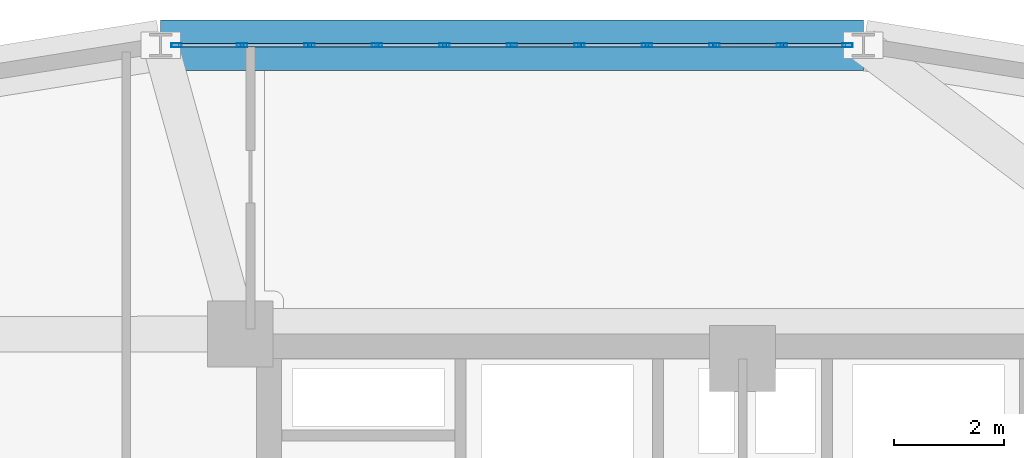
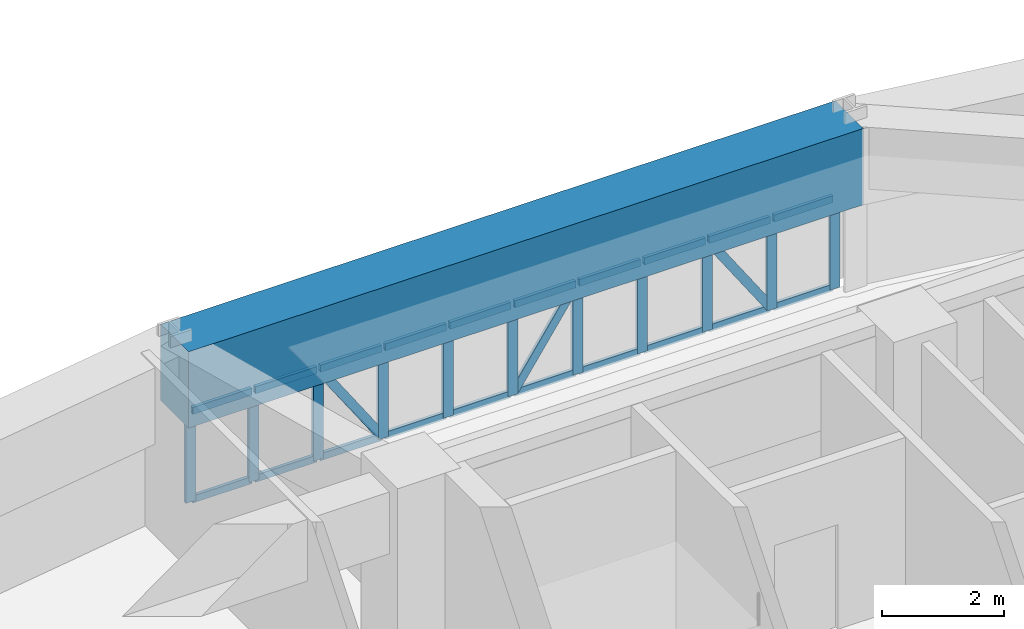
# One storey, part 8 of 15: 34 members, 1 beam, 1 element without a shape of its own.
"""IFC4 building model written with IfcOpenShell, lengths in metres."""

import ifcopenshell
import ifcopenshell.guid

model = None  # the IFC model being written
_history = None  # IfcOwnerHistory: only IFC2X3 demands one
_inside = {}  # id of a spatial element -> (the spatial element, [elements in it])
_under = {}  # id of a project, library or spatial element -> (it, [spatial elements below it])
_declared = {}  # id of a project -> (the project, [libraries it declares])
_typed = {}  # id of a type object -> (the type object, [elements of that type])
_made_of = {}  # id of a material, layer set ... -> (it, [elements and type objects made of it])


def new_model(schema):
    """Start an empty IFC model of exactly this schema.

    Asked for "IFC4X3", IfcOpenShell would pick the latest addendum, in which some entities
    have other attributes; the version numbers below select the first issue.
    IFC2X3 requires an IfcOwnerHistory on every rooted entity: one is made here for all.
    """
    global model, _history
    if schema == "IFC4X3":
        model = ifcopenshell.file(schema_version=(4, 3, 0, 0))
    else:
        model = ifcopenshell.file(schema=schema)
    _inside.clear()
    _under.clear()
    _declared.clear()
    _typed.clear()
    _made_of.clear()
    _history = None
    if model.schema == "IFC2X3":
        org = make("IfcOrganization", Name="unknown")
        user = make(
            "IfcPersonAndOrganization",
            ThePerson=make("IfcPerson", FamilyName="unknown"),
            TheOrganization=org,
        )
        app = make(
            "IfcApplication",
            ApplicationDeveloper=org,
            Version="unknown",
            ApplicationFullName="unknown",
            ApplicationIdentifier="unknown",
        )
        _history = make(
            "IfcOwnerHistory",
            OwningUser=user,
            OwningApplication=app,
            ChangeAction="ADDED",
            CreationDate=0,
        )
    return model


def make(cls, **values):
    """One entity of the class cls with the attributes given. An attribute that is None is left unset."""
    return model.create_entity(
        cls, **{name: value for name, value in values.items() if value is not None}
    )


def rooted(cls, **values):
    """An entity with a GlobalId (a new one), such as an element, a storey or a relation."""
    return make(cls, GlobalId=ifcopenshell.guid.new(), OwnerHistory=_history, **values)


def si_unit(unit_type, name, prefix=None):
    """IfcSIUnit, for example si_unit("LENGTHUNIT", "METRE", prefix="MILLI")."""
    return make("IfcSIUnit", UnitType=unit_type, Prefix=prefix, Name=name)


def derived_unit(unit_type, elements):
    """IfcDerivedUnit: a product of units, each with its exponent."""
    return make(
        "IfcDerivedUnit",
        Elements=[
            make("IfcDerivedUnitElement", Unit=unit, Exponent=power)
            for unit, power in elements
        ],
        UnitType=unit_type,
    )


def assignment(units):
    """IfcUnitAssignment: the units of a project."""
    return None if units is None else make("IfcUnitAssignment", Units=units)


def point(xyz):
    """IfcCartesianPoint."""
    return None if xyz is None else make("IfcCartesianPoint", Coordinates=xyz)


def direction(xyz):
    """IfcDirection."""
    return None if xyz is None else make("IfcDirection", DirectionRatios=xyz)


def frame(location, z_axis=None, x_axis=None):
    """IfcAxis2Placement3D, a coordinate frame: its origin and axes. An axis left out is left unset."""
    return make(
        "IfcAxis2Placement3D",
        Location=point(location),
        Axis=direction(z_axis),
        RefDirection=direction(x_axis),
    )


def frame_2d(location, x_axis=None):
    """IfcAxis2Placement2D, a coordinate frame in the plane: its origin and x axis."""
    return make(
        "IfcAxis2Placement2D", Location=point(location), RefDirection=direction(x_axis)
    )


def origin():
    """The frame at (0, 0, 0) with its axes left unset."""
    return frame((0.0, 0.0, 0.0))


def origin_2d():
    """The frame at (0, 0) in the plane with its x axis left unset."""
    return frame_2d((0.0, 0.0))


def place(relative_to, where):
    """IfcLocalPlacement: puts the frame where relative to a parent placement (None: the world)."""
    return make(
        "IfcLocalPlacement", PlacementRelTo=relative_to, RelativePlacement=where
    )


def context(
    kind, dimensions, precision=None, world=None, true_north=None, identifier=None
):
    """IfcGeometricRepresentationContext, for example the 3D "Model" context."""
    return make(
        "IfcGeometricRepresentationContext",
        ContextIdentifier=identifier,
        ContextType=kind,
        CoordinateSpaceDimension=dimensions,
        Precision=precision,
        WorldCoordinateSystem=world,
        TrueNorth=true_north,
    )


def subcontext(parent, identifier, kind, view, scale=None):
    """IfcGeometricRepresentationSubContext, for example "Body" below "Model"."""
    return make(
        "IfcGeometricRepresentationSubContext",
        ContextIdentifier=identifier,
        ContextType=kind,
        ParentContext=parent,
        TargetScale=scale,
        TargetView=view,
    )


def project(units=None, contexts=None):
    """IfcProject with its units and contexts."""
    return rooted(
        "IfcProject",
        Name="project",
        RepresentationContexts=contexts,
        UnitsInContext=assignment(units),
    )


def spatial(cls, under=None, at=None, **own):
    """A site, building, storey or space (cls), placed at a placement, below another one or the project."""
    s = rooted(cls, ObjectPlacement=at, **own)
    if under is not None:
        _under.setdefault(under.id(), (under, []))[1].append(s)
    return s


def profile(cls, at=None, kind="AREA", **sizes):
    """A parametric profile (cls). Its sizes go by their IFC names, for example OverallWidth=200.0."""
    return make(cls, ProfileType=kind, Position=at, **sizes)


def rectangle(**sizes):
    """IfcRectangleProfileDef."""
    return profile("IfcRectangleProfileDef", **sizes)


def hollow_rectangle(**sizes):
    """IfcRectangleHollowProfileDef."""
    return profile("IfcRectangleHollowProfileDef", **sizes)


def extrude(swept, where, along, depth):
    """IfcExtrudedAreaSolid: the profile swept, set in the frame where, extruded along a direction by depth."""
    return make(
        "IfcExtrudedAreaSolid",
        SweptArea=swept,
        Position=where,
        ExtrudedDirection=direction(along),
        Depth=depth,
    )


def shape(context_of_items, identifier, shape_type, items):
    """IfcShapeRepresentation: the items that make up one representation, for example the "Body"."""
    return make(
        "IfcShapeRepresentation",
        ContextOfItems=context_of_items,
        RepresentationIdentifier=identifier,
        RepresentationType=shape_type,
        Items=items,
    )


def source(mapping_origin, context_of_items, identifier, shape_type, items):
    """IfcRepresentationMap: a shape defined once, which mapped items show again and again."""
    return make(
        "IfcRepresentationMap",
        MappingOrigin=mapping_origin,
        MappedRepresentation=shape(context_of_items, identifier, shape_type, items),
    )


def transform(
    local_origin,
    x_axis=None,
    y_axis=None,
    z_axis=None,
    scale=None,
    scale2=None,
    scale3=None,
    uniform=True,
):
    """IfcCartesianTransformationOperator3D, or its non-uniform kind. x_axis, y_axis, z_axis: its Axis1, 2, 3."""
    if uniform:
        return make(
            "IfcCartesianTransformationOperator3D",
            Axis1=direction(x_axis),
            Axis2=direction(y_axis),
            LocalOrigin=point(local_origin),
            Scale=scale,
            Axis3=direction(z_axis),
        )
    return make(
        "IfcCartesianTransformationOperator3DnonUniform",
        Axis1=direction(x_axis),
        Axis2=direction(y_axis),
        LocalOrigin=point(local_origin),
        Scale=scale,
        Axis3=direction(z_axis),
        Scale2=scale2,
        Scale3=scale3,
    )


def mapped(mapping_source, mapping_target):
    """IfcMappedItem: shows the shape of a source again, moved by a transform."""
    return make(
        "IfcMappedItem", MappingSource=mapping_source, MappingTarget=mapping_target
    )


def material(Name=None, Category=None):
    """IfcMaterial."""
    return make("IfcMaterial", Name=Name, Category=Category)


def layer(
    of_material, thickness, ventilated=None, Name=None, Category=None, Priority=None
):
    """IfcMaterialLayer: one layer of a wall or slab, of a material (None: an air gap)."""
    return make(
        "IfcMaterialLayer",
        Material=of_material,
        LayerThickness=thickness,
        IsVentilated=ventilated,
        Name=Name,
        Category=Category,
        Priority=Priority,
    )


def layer_set(layers, Name=None):
    """IfcMaterialLayerSet."""
    return make("IfcMaterialLayerSet", MaterialLayers=layers, LayerSetName=Name)


def material_profile(
    of_material, cross_section, Name=None, Category=None, Priority=None
):
    """IfcMaterialProfile: a cross section and its material."""
    return make(
        "IfcMaterialProfile",
        Name=Name,
        Material=of_material,
        Profile=cross_section,
        Priority=Priority,
        Category=Category,
    )


def profile_set(profiles, Name=None, composite=None):
    """IfcMaterialProfileSet."""
    return make(
        "IfcMaterialProfileSet",
        Name=Name,
        MaterialProfiles=profiles,
        CompositeProfile=composite,
    )


def made_of(thing, what):
    """Note that an element or type object is made of a material, layer set ...; save() writes the relation."""
    if what is not None:
        _made_of.setdefault(what.id(), (what, []))[1].append(thing)
    return thing


def type_object(cls, material=None, **own):
    """A type object (cls), such as IfcWallType, which elements share."""
    return made_of(rooted(cls, **own), material)


def element(
    cls,
    number,
    at=None,
    inside=None,
    cuts=None,
    type_object=None,
    material=None,
    context=None,
    identifier="Body",
    shape_type=None,
    held_by="IfcProductDefinitionShape",
    body=None,
    shapes=None,
    **own,
):
    """One element of the class cls, such as IfcWall. Its Tag is "e" and its number.

    at: its placement. inside: the storey or other place that contains it. cuts: it is an
    opening in that element (IfcRelVoidsElement). A single representation is given by context,
    identifier, shape_type and body (its items); several are given by shapes. held_by: the class
    of the entity that holds the representations. save() writes the other relations.
    """
    e = rooted(cls, Tag="e%d" % number, ObjectPlacement=at, **own)
    if body is not None:
        shapes = [shape(context, identifier, shape_type, body)]
    if shapes is not None:
        e.Representation = make(held_by, Representations=shapes)
    if inside is not None:
        _inside.setdefault(inside.id(), (inside, []))[1].append(e)
    if cuts is not None:
        rooted(
            "IfcRelVoidsElement", RelatingBuildingElement=cuts, RelatedOpeningElement=e
        )
    if type_object is not None:
        _typed.setdefault(type_object.id(), (type_object, []))[1].append(e)
    return made_of(e, material)


def aggregate(whole, parts):
    """IfcRelAggregates: a whole, such as a stair, and the parts it consists of."""
    return rooted("IfcRelAggregates", RelatingObject=whole, RelatedObjects=parts)


def save(model, path):
    """Write the relations noted so far, then the file.

    IfcRelAggregates (storeys below a building ...), IfcRelContainedInSpatialStructure (elements
    in a storey), IfcRelDefinesByType, IfcRelAssociatesMaterial and IfcRelDeclares: one each for
    every whole, place, type object, material and project.
    """
    for whole, parts in _under.values():
        aggregate(whole, parts)
    for where, things in _inside.values():
        rooted(
            "IfcRelContainedInSpatialStructure",
            RelatedElements=things,
            RelatingStructure=where,
        )
    for kind, things in _typed.values():
        rooted("IfcRelDefinesByType", RelatedObjects=things, RelatingType=kind)
    for what, things in _made_of.values():
        rooted("IfcRelAssociatesMaterial", RelatedObjects=things, RelatingMaterial=what)
    for by, libraries in _declared.values():
        rooted("IfcRelDeclares", RelatingContext=by, RelatedDefinitions=libraries)
    model.write(path)


model = new_model("IFC4")

# Units and contexts
model_context = context("Model", 3, precision=1e-05, world=origin(), true_north=direction((0.0, 1.0)))
body_context = subcontext(model_context, "Body", "Model", "MODEL_VIEW")
ifc_project = project(units=[si_unit("LENGTHUNIT", "METRE"), si_unit("AREAUNIT", "SQUARE_METRE"), si_unit("VOLUMEUNIT", "CUBIC_METRE"), si_unit("PLANEANGLEUNIT", "RADIAN"), si_unit("MASSUNIT", "GRAM", prefix="KILO"), derived_unit("THERMALTRANSMITTANCEUNIT", [(si_unit("POWERUNIT", "WATT"), 1), (si_unit("LENGTHUNIT", "METRE"), -2), (si_unit("THERMODYNAMICTEMPERATUREUNIT", "KELVIN"), -1)])], contexts=[model_context])

# Site, building, storey
site_placement = place(None, origin())
site = spatial("IfcSite", under=ifc_project, at=site_placement, CompositionType="ELEMENT")
building_placement = place(site_placement, origin())
building = spatial("IfcBuilding", under=site, at=building_placement, Name="Korsvarv Bourse and Concert Hall", CompositionType="ELEMENT")
storey_placement = place(building_placement, frame((0.0, 0.0, 165.0)))
storey = spatial("IfcBuildingStorey", under=building, at=storey_placement, Name="L42", CompositionType="ELEMENT", Elevation=165.0)

# Beam
ifc_material_1 = material(Name="Concrete C50/60", Category="concrete")
ifc_material_profile_1 = material_profile(ifc_material_1, rectangle(XDim=0.919921875, YDim=1.530029296875, at=origin_2d()), Name="RC-BM 920x1530")
ifc_profile_set_1 = profile_set([ifc_material_profile_1], Name="Concrete C50/60")
beam_type = type_object("IfcBeamType", Name="BM-TR-154", PredefinedType="BEAM", material=ifc_profile_set_1)
shared_shape_1 = source(origin(), body_context, "Body", "SweptSolid", [
    extrude(rectangle(XDim=0.919921875, YDim=1.530029296875, at=origin_2d()), origin(), (0.0, 0.0, 1.0), 12.802978515625),
])
beam_placement = place(storey_placement, frame((38.201416015625, 52.507568359375, 2.60498046875), z_axis=(-1.0, 0.0, 0.0), x_axis=(0.0, -1.0, 0.0)))
element("IfcBeam", 1, at=beam_placement, inside=storey, type_object=beam_type, Name="L42 beam B-TR6", PredefinedType="BEAM", context=body_context, shape_type="MappedRepresentation", body=[
    mapped(shared_shape_1, transform((0.0, 0.0, 0.0), scale=1.0)),
])

# Curtain wall, members
ifc_material_2 = material(Name="Anodised aluminium and triple low-E glazing", Category="glass")
ifc_layer = layer(ifc_material_2, 0.2099609375)
ifc_layer_set = layer_set([ifc_layer], Name="Anodised aluminium and triple low-E glazing")
curtain_wall_type = type_object("IfcCurtainWallType", Name="CW-SYS-2", PredefinedType="NOTDEFINED", material=ifc_layer_set)
curtain_wall_placement = place(storey_placement, origin())
curtain_wall = element("IfcCurtainWall", 2, at=curtain_wall_placement, inside=storey, type_object=curtain_wall_type, Name="L42 CW2 curtain wall CW-L42-F03", PredefinedType="NOTDEFINED")
ifc_material_3 = material(Name="Extruded aluminium EN AW-6063 T66", Category="aluminium")
ifc_material_profile_2 = material_profile(ifc_material_3, hollow_rectangle(XDim=0.070068359375, YDim=0.18994140625, WallThickness=0.0048828125, at=origin_2d()), Name="ALU-M 70x190")
ifc_profile_set_2 = profile_set([ifc_material_profile_2], Name="Extruded aluminium EN AW-6063 T66")
member_type_1 = type_object("IfcMemberType", Name="CWM-190", PredefinedType="MULLION", material=ifc_profile_set_2)
shared_shape_2 = source(origin(), body_context, "Body", "SweptSolid", [
    extrude(hollow_rectangle(XDim=0.070068359375, YDim=0.18994140625, WallThickness=0.0048828125, at=origin_2d()), origin(), (0.0, 0.0, 1.0), 1.840087890625),
])
member_1_placement = place(storey_placement, frame((37.910400390625, 52.507568359375, 0.0), z_axis=(0.0, 0.0, 1.0), x_axis=(0.0, -1.0, 0.0)))
member_1 = element("IfcMember", 3, at=member_1_placement, type_object=member_type_1, Name="CW2 mullion 1", PredefinedType="MULLION", context=body_context, shape_type="MappedRepresentation", body=[
    mapped(shared_shape_2, transform((0.0, 0.0, 0.0), scale=1.0)),
])
member_2_placement = place(storey_placement, frame((36.71630859375, 52.507568359375, 0.0), z_axis=(0.0, 0.0, 1.0), x_axis=(0.0, -1.0, 0.0)))
member_2 = element("IfcMember", 4, at=member_2_placement, type_object=member_type_1, Name="CW2 mullion 2", PredefinedType="MULLION", context=body_context, shape_type="MappedRepresentation", body=[
    mapped(shared_shape_2, transform((0.0, 0.0, 0.0), scale=1.0)),
])
member_3_placement = place(storey_placement, frame((35.4873046875, 52.507568359375, 0.0), z_axis=(0.0, 0.0, 1.0), x_axis=(0.0, -1.0, 0.0)))
member_3 = element("IfcMember", 5, at=member_3_placement, type_object=member_type_1, Name="CW2 mullion 3", PredefinedType="MULLION", context=body_context, shape_type="MappedRepresentation", body=[
    mapped(shared_shape_2, transform((0.0, 0.0, 0.0), scale=1.0)),
])
member_4_placement = place(storey_placement, frame((34.25830078125, 52.507568359375, 0.0), z_axis=(0.0, 0.0, 1.0), x_axis=(0.0, -1.0, 0.0)))
member_4 = element("IfcMember", 6, at=member_4_placement, type_object=member_type_1, Name="CW2 mullion 4", PredefinedType="MULLION", context=body_context, shape_type="MappedRepresentation", body=[
    mapped(shared_shape_2, transform((0.0, 0.0, 0.0), scale=1.0)),
])
member_5_placement = place(storey_placement, frame((33.029052734375, 52.507568359375, 0.0), z_axis=(0.0, 0.0, 1.0), x_axis=(0.0, -1.0, 0.0)))
member_5 = element("IfcMember", 7, at=member_5_placement, type_object=member_type_1, Name="CW2 mullion 5", PredefinedType="MULLION", context=body_context, shape_type="MappedRepresentation", body=[
    mapped(shared_shape_2, transform((0.0, 0.0, 0.0), scale=1.0)),
])
member_6_placement = place(storey_placement, frame((31.800048828125, 52.507568359375, 0.0), z_axis=(0.0, 0.0, 1.0), x_axis=(0.0, -1.0, 0.0)))
member_6 = element("IfcMember", 8, at=member_6_placement, type_object=member_type_1, Name="CW2 mullion 6", PredefinedType="MULLION", context=body_context, shape_type="MappedRepresentation", body=[
    mapped(shared_shape_2, transform((0.0, 0.0, 0.0), scale=1.0)),
])
member_7_placement = place(storey_placement, frame((30.57080078125, 52.507568359375, 0.0), z_axis=(0.0, 0.0, 1.0), x_axis=(0.0, -1.0, 0.0)))
member_7 = element("IfcMember", 9, at=member_7_placement, type_object=member_type_1, Name="CW2 mullion 7", PredefinedType="MULLION", context=body_context, shape_type="MappedRepresentation", body=[
    mapped(shared_shape_2, transform((0.0, 0.0, 0.0), scale=1.0)),
])
member_8_placement = place(storey_placement, frame((29.341796875, 52.507568359375, 0.0), z_axis=(0.0, 0.0, 1.0), x_axis=(0.0, -1.0, 0.0)))
member_8 = element("IfcMember", 10, at=member_8_placement, type_object=member_type_1, Name="CW2 mullion 8", PredefinedType="MULLION", context=body_context, shape_type="MappedRepresentation", body=[
    mapped(shared_shape_2, transform((0.0, 0.0, 0.0), scale=1.0)),
])
member_9_placement = place(storey_placement, frame((28.11279296875, 52.507568359375, 0.0), z_axis=(0.0, 0.0, 1.0), x_axis=(0.0, -1.0, 0.0)))
member_9 = element("IfcMember", 11, at=member_9_placement, type_object=member_type_1, Name="CW2 mullion 9", PredefinedType="MULLION", context=body_context, shape_type="MappedRepresentation", body=[
    mapped(shared_shape_2, transform((0.0, 0.0, 0.0), scale=1.0)),
])
member_10_placement = place(storey_placement, frame((26.883544921875, 52.507568359375, 0.0), z_axis=(0.0, 0.0, 1.0), x_axis=(0.0, -1.0, 0.0)))
member_10 = element("IfcMember", 12, at=member_10_placement, type_object=member_type_1, Name="CW2 mullion 10", PredefinedType="MULLION", context=body_context, shape_type="MappedRepresentation", body=[
    mapped(shared_shape_2, transform((0.0, 0.0, 0.0), scale=1.0)),
])
member_11_placement = place(storey_placement, frame((25.689453125, 52.507568359375, 0.0), z_axis=(0.0, 0.0, 1.0), x_axis=(0.0, -1.0, 0.0)))
member_11 = element("IfcMember", 13, at=member_11_placement, type_object=member_type_1, Name="CW2 mullion 11", PredefinedType="MULLION", context=body_context, shape_type="MappedRepresentation", body=[
    mapped(shared_shape_2, transform((0.0, 0.0, 0.0), scale=1.0)),
])
ifc_material_profile_3 = material_profile(ifc_material_3, hollow_rectangle(XDim=0.06494140625, YDim=0.139892578125, WallThickness=0.00390625, at=origin_2d()), Name="ALU-T 65x140")
ifc_profile_set_3 = profile_set([ifc_material_profile_3], Name="Extruded aluminium EN AW-6063 T66")
member_type_2 = type_object("IfcMemberType", Name="CWT-140", PredefinedType="USERDEFINED", material=ifc_profile_set_3)
shared_shape_3 = source(origin(), body_context, "Body", "SweptSolid", [
    extrude(hollow_rectangle(XDim=0.06494140625, YDim=0.139892578125, WallThickness=0.00390625, at=origin_2d()), origin(), (0.0, 0.0, 1.0), 1.1240234375),
])
member_12_placement = place(storey_placement, frame((37.87548828125, 52.507568359375, 0.032470703125), z_axis=(-1.0, 0.0, 0.0), x_axis=(0.0, -1.0, 0.0)))
member_12 = element("IfcMember", 14, at=member_12_placement, type_object=member_type_2, Name="CW2 transom 1.1", ObjectType="TRANSOM", PredefinedType="USERDEFINED", context=body_context, shape_type="MappedRepresentation", body=[
    mapped(shared_shape_3, transform((0.0, 0.0, 0.0), scale=1.0)),
])
member_13_placement = place(storey_placement, frame((37.87548828125, 52.507568359375, 1.8076171875), z_axis=(-1.0, 0.0, 0.0), x_axis=(0.0, -1.0, 0.0)))
member_13 = element("IfcMember", 15, at=member_13_placement, type_object=member_type_2, Name="CW2 transom 1.2", ObjectType="TRANSOM", PredefinedType="USERDEFINED", context=body_context, shape_type="MappedRepresentation", body=[
    mapped(shared_shape_3, transform((0.0, 0.0, 0.0), scale=1.0)),
])
member_14_placement = place(storey_placement, frame((26.8486328125, 52.507568359375, 0.032470703125), z_axis=(-1.0, 0.0, 0.0), x_axis=(0.0, -1.0, 0.0)))
member_14 = element("IfcMember", 16, at=member_14_placement, type_object=member_type_2, Name="CW2 transom 10.1", ObjectType="TRANSOM", PredefinedType="USERDEFINED", context=body_context, shape_type="MappedRepresentation", body=[
    mapped(shared_shape_3, transform((0.0, 0.0, 0.0), scale=1.0)),
])
member_15_placement = place(storey_placement, frame((26.8486328125, 52.507568359375, 1.8076171875), z_axis=(-1.0, 0.0, 0.0), x_axis=(0.0, -1.0, 0.0)))
member_15 = element("IfcMember", 17, at=member_15_placement, type_object=member_type_2, Name="CW2 transom 10.2", ObjectType="TRANSOM", PredefinedType="USERDEFINED", context=body_context, shape_type="MappedRepresentation", body=[
    mapped(shared_shape_3, transform((0.0, 0.0, 0.0), scale=1.0)),
])
shared_shape_4 = source(origin(), body_context, "Body", "SweptSolid", [
    extrude(hollow_rectangle(XDim=0.06494140625, YDim=0.139892578125, WallThickness=0.00390625, at=origin_2d()), origin(), (0.0, 0.0, 1.0), 1.1591796875),
])
member_16_placement = place(storey_placement, frame((36.681396484375, 52.507568359375, 0.032470703125), z_axis=(-1.0, 0.0, 0.0), x_axis=(0.0, -1.0, 0.0)))
member_16 = element("IfcMember", 18, at=member_16_placement, type_object=member_type_2, Name="CW2 transom 2.1", ObjectType="TRANSOM", PredefinedType="USERDEFINED", context=body_context, shape_type="MappedRepresentation", body=[
    mapped(shared_shape_4, transform((0.0, 0.0, 0.0), scale=1.0)),
])
member_17_placement = place(storey_placement, frame((36.681396484375, 52.507568359375, 1.8076171875), z_axis=(-1.0, 0.0, 0.0), x_axis=(0.0, -1.0, 0.0)))
member_17 = element("IfcMember", 19, at=member_17_placement, type_object=member_type_2, Name="CW2 transom 2.2", ObjectType="TRANSOM", PredefinedType="USERDEFINED", context=body_context, shape_type="MappedRepresentation", body=[
    mapped(shared_shape_4, transform((0.0, 0.0, 0.0), scale=1.0)),
])
member_18_placement = place(storey_placement, frame((35.452392578125, 52.507568359375, 0.032470703125), z_axis=(-1.0, 0.0, 0.0), x_axis=(0.0, -1.0, 0.0)))
member_18 = element("IfcMember", 20, at=member_18_placement, type_object=member_type_2, Name="CW2 transom 3.1", ObjectType="TRANSOM", PredefinedType="USERDEFINED", context=body_context, shape_type="MappedRepresentation", body=[
    mapped(shared_shape_4, transform((0.0, 0.0, 0.0), scale=1.0)),
])
member_19_placement = place(storey_placement, frame((35.452392578125, 52.507568359375, 1.8076171875), z_axis=(-1.0, 0.0, 0.0), x_axis=(0.0, -1.0, 0.0)))
member_19 = element("IfcMember", 21, at=member_19_placement, type_object=member_type_2, Name="CW2 transom 3.2", ObjectType="TRANSOM", PredefinedType="USERDEFINED", context=body_context, shape_type="MappedRepresentation", body=[
    mapped(shared_shape_4, transform((0.0, 0.0, 0.0), scale=1.0)),
])
member_20_placement = place(storey_placement, frame((32.994140625, 52.507568359375, 0.032470703125), z_axis=(-1.0, 0.0, 0.0), x_axis=(0.0, -1.0, 0.0)))
member_20 = element("IfcMember", 22, at=member_20_placement, type_object=member_type_2, Name="CW2 transom 5.1", ObjectType="TRANSOM", PredefinedType="USERDEFINED", context=body_context, shape_type="MappedRepresentation", body=[
    mapped(shared_shape_4, transform((0.0, 0.0, 0.0), scale=1.0)),
])
member_21_placement = place(storey_placement, frame((32.994140625, 52.507568359375, 1.8076171875), z_axis=(-1.0, 0.0, 0.0), x_axis=(0.0, -1.0, 0.0)))
member_21 = element("IfcMember", 23, at=member_21_placement, type_object=member_type_2, Name="CW2 transom 5.2", ObjectType="TRANSOM", PredefinedType="USERDEFINED", context=body_context, shape_type="MappedRepresentation", body=[
    mapped(shared_shape_4, transform((0.0, 0.0, 0.0), scale=1.0)),
])
member_22_placement = place(storey_placement, frame((30.535888671875, 52.507568359375, 0.032470703125), z_axis=(-1.0, 0.0, 0.0), x_axis=(0.0, -1.0, 0.0)))
member_22 = element("IfcMember", 24, at=member_22_placement, type_object=member_type_2, Name="CW2 transom 7.1", ObjectType="TRANSOM", PredefinedType="USERDEFINED", context=body_context, shape_type="MappedRepresentation", body=[
    mapped(shared_shape_4, transform((0.0, 0.0, 0.0), scale=1.0)),
])
member_23_placement = place(storey_placement, frame((30.535888671875, 52.507568359375, 1.8076171875), z_axis=(-1.0, 0.0, 0.0), x_axis=(0.0, -1.0, 0.0)))
member_23 = element("IfcMember", 25, at=member_23_placement, type_object=member_type_2, Name="CW2 transom 7.2", ObjectType="TRANSOM", PredefinedType="USERDEFINED", context=body_context, shape_type="MappedRepresentation", body=[
    mapped(shared_shape_4, transform((0.0, 0.0, 0.0), scale=1.0)),
])
member_24_placement = place(storey_placement, frame((29.306884765625, 52.507568359375, 0.032470703125), z_axis=(-1.0, 0.0, 0.0), x_axis=(0.0, -1.0, 0.0)))
member_24 = element("IfcMember", 26, at=member_24_placement, type_object=member_type_2, Name="CW2 transom 8.1", ObjectType="TRANSOM", PredefinedType="USERDEFINED", context=body_context, shape_type="MappedRepresentation", body=[
    mapped(shared_shape_4, transform((0.0, 0.0, 0.0), scale=1.0)),
])
member_25_placement = place(storey_placement, frame((29.306884765625, 52.507568359375, 1.8076171875), z_axis=(-1.0, 0.0, 0.0), x_axis=(0.0, -1.0, 0.0)))
member_25 = element("IfcMember", 27, at=member_25_placement, type_object=member_type_2, Name="CW2 transom 8.2", ObjectType="TRANSOM", PredefinedType="USERDEFINED", context=body_context, shape_type="MappedRepresentation", body=[
    mapped(shared_shape_4, transform((0.0, 0.0, 0.0), scale=1.0)),
])
ifc_material_profile_4 = material_profile(ifc_material_3, hollow_rectangle(XDim=0.06494140625, YDim=0.1650390625, WallThickness=0.0048828125, at=origin_2d()), Name="ALU-M 65x165")
ifc_profile_set_4 = profile_set([ifc_material_profile_4], Name="Extruded aluminium EN AW-6063 T66")
member_type_3 = type_object("IfcMemberType", Name="CWM-165", PredefinedType="MULLION", material=ifc_profile_set_4)
shared_shape_5 = source(origin(), body_context, "Body", "SweptSolid", [
    extrude(hollow_rectangle(XDim=0.06494140625, YDim=0.1650390625, WallThickness=0.0048828125, at=origin_2d()), origin(), (0.0, 0.0, 1.0), 2.06591796875),
])
member_26_placement = place(storey_placement, frame((36.681396484375, 52.507568359375, 0.06494140625), z_axis=(-0.561119878978, 0.0, 0.827734547675), x_axis=(0.0, -1.0, 0.0)))
member_26 = element("IfcMember", 28, at=member_26_placement, type_object=member_type_3, Name="CW2 diagonal mullion 2", PredefinedType="MULLION", context=body_context, shape_type="MappedRepresentation", body=[
    mapped(shared_shape_5, transform((0.0, 0.0, 0.0), scale=1.0)),
])
member_27_placement = place(storey_placement, frame((31.8349609375, 52.507568359375, 0.06494140625), z_axis=(0.561119878978, 0.0, 0.827734547675), x_axis=(0.0, 1.0, 0.0)))
member_27 = element("IfcMember", 29, at=member_27_placement, type_object=member_type_3, Name="CW2 diagonal mullion 5", PredefinedType="MULLION", context=body_context, shape_type="MappedRepresentation", body=[
    mapped(shared_shape_5, transform((0.0, 0.0, 0.0), scale=1.0)),
])
member_28_placement = place(storey_placement, frame((29.306884765625, 52.507568359375, 0.06494140625), z_axis=(-0.561119878978, 0.0, 0.827734547675), x_axis=(0.0, -1.0, 0.0)))
member_28 = element("IfcMember", 30, at=member_28_placement, type_object=member_type_3, Name="CW2 diagonal mullion 8", PredefinedType="MULLION", context=body_context, shape_type="MappedRepresentation", body=[
    mapped(shared_shape_5, transform((0.0, 0.0, 0.0), scale=1.0)),
])
shared_shape_6 = source(origin(), body_context, "Body", "SweptSolid", [
    extrude(hollow_rectangle(XDim=0.06494140625, YDim=0.139892578125, WallThickness=0.00390625, at=origin_2d()), origin(), (0.0, 0.0, 1.0), 1.158935546875),
])
member_29_placement = place(storey_placement, frame((34.22314453125, 52.507568359375, 0.032470703125), z_axis=(-1.0, 0.0, 0.0), x_axis=(0.0, -1.0, 0.0)))
member_29 = element("IfcMember", 31, at=member_29_placement, type_object=member_type_2, Name="CW2 transom 4.1", ObjectType="TRANSOM", PredefinedType="USERDEFINED", context=body_context, shape_type="MappedRepresentation", body=[
    mapped(shared_shape_6, transform((0.0, 0.0, 0.0), scale=1.0)),
])
member_30_placement = place(storey_placement, frame((34.22314453125, 52.507568359375, 1.8076171875), z_axis=(-1.0, 0.0, 0.0), x_axis=(0.0, -1.0, 0.0)))
member_30 = element("IfcMember", 32, at=member_30_placement, type_object=member_type_2, Name="CW2 transom 4.2", ObjectType="TRANSOM", PredefinedType="USERDEFINED", context=body_context, shape_type="MappedRepresentation", body=[
    mapped(shared_shape_6, transform((0.0, 0.0, 0.0), scale=1.0)),
])
member_31_placement = place(storey_placement, frame((31.764892578125, 52.507568359375, 0.032470703125), z_axis=(-1.0, 0.0, 0.0), x_axis=(0.0, -1.0, 0.0)))
member_31 = element("IfcMember", 33, at=member_31_placement, type_object=member_type_2, Name="CW2 transom 6.1", ObjectType="TRANSOM", PredefinedType="USERDEFINED", context=body_context, shape_type="MappedRepresentation", body=[
    mapped(shared_shape_6, transform((0.0, 0.0, 0.0), scale=1.0)),
])
member_32_placement = place(storey_placement, frame((31.764892578125, 52.507568359375, 1.8076171875), z_axis=(-1.0, 0.0, 0.0), x_axis=(0.0, -1.0, 0.0)))
member_32 = element("IfcMember", 34, at=member_32_placement, type_object=member_type_2, Name="CW2 transom 6.2", ObjectType="TRANSOM", PredefinedType="USERDEFINED", context=body_context, shape_type="MappedRepresentation", body=[
    mapped(shared_shape_6, transform((0.0, 0.0, 0.0), scale=1.0)),
])
member_33_placement = place(storey_placement, frame((28.07763671875, 52.507568359375, 0.032470703125), z_axis=(-1.0, 0.0, 0.0), x_axis=(0.0, -1.0, 0.0)))
member_33 = element("IfcMember", 35, at=member_33_placement, type_object=member_type_2, Name="CW2 transom 9.1", ObjectType="TRANSOM", PredefinedType="USERDEFINED", context=body_context, shape_type="MappedRepresentation", body=[
    mapped(shared_shape_6, transform((0.0, 0.0, 0.0), scale=1.0)),
])
member_34_placement = place(storey_placement, frame((28.07763671875, 52.507568359375, 1.8076171875), z_axis=(-1.0, 0.0, 0.0), x_axis=(0.0, -1.0, 0.0)))
member_34 = element("IfcMember", 36, at=member_34_placement, type_object=member_type_2, Name="CW2 transom 9.2", ObjectType="TRANSOM", PredefinedType="USERDEFINED", context=body_context, shape_type="MappedRepresentation", body=[
    mapped(shared_shape_6, transform((0.0, 0.0, 0.0), scale=1.0)),
])
aggregate(curtain_wall, [member_1, member_2, member_3, member_4, member_5, member_6, member_7, member_8, member_9, member_10, member_11, member_12, member_13, member_16, member_17, member_26, member_18, member_19, member_29, member_30, member_20, member_21, member_27, member_31, member_32, member_22, member_23, member_24, member_25, member_28, member_33, member_34, member_14, member_15])

save(model, "model.ifc")
